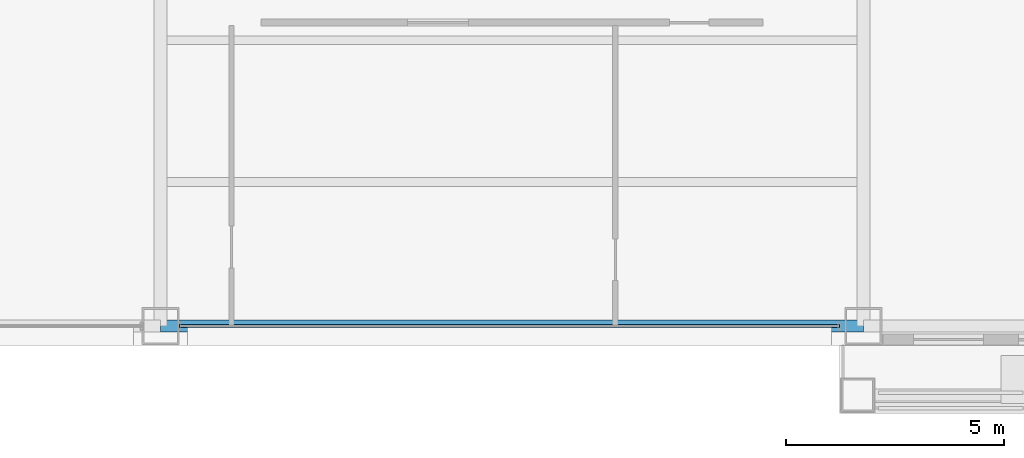
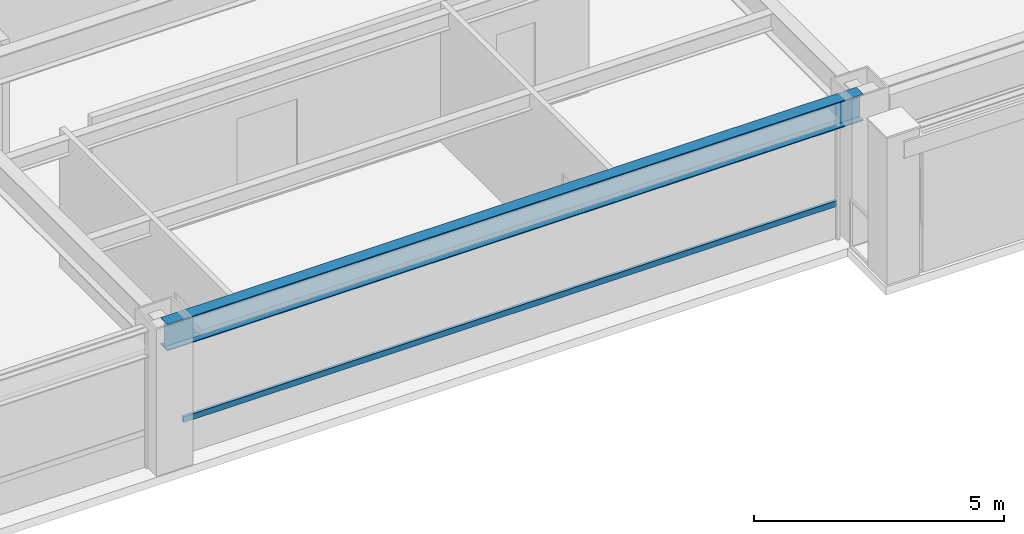
# One storey, part 6 of 31: 1 beam, 1 member, 1 element without a shape of its own.
"""IFC4 building model written with IfcOpenShell, lengths in metres."""

from ifc_helpers import new_model, si_unit, direction, frame, origin, origin_2d, place, context, subcontext, project, spatial, hollow_rectangle, i_section, extrude, material, layer, layer_set, material_profile, profile_set, type_object, element, aggregate, save


model = new_model("IFC4")

# Units and contexts
model_context = context("Model", 3, precision=1e-05, world=origin(), true_north=direction((0.0, 1.0)))
body_context = subcontext(model_context, "Body", "Model", "MODEL_VIEW")
ifc_project = project(units=[si_unit("LENGTHUNIT", "METRE"), si_unit("AREAUNIT", "SQUARE_METRE"), si_unit("VOLUMEUNIT", "CUBIC_METRE"), si_unit("PLANEANGLEUNIT", "RADIAN"), si_unit("MASSUNIT", "GRAM", prefix="KILO")], contexts=[model_context])

# Site, building, storey
site_placement = place(None, origin())
site = spatial("IfcSite", under=ifc_project, at=site_placement, CompositionType="ELEMENT")
building_placement = place(site_placement, origin())
building = spatial("IfcBuilding", under=site, at=building_placement, Name="Brelmoor Portico Tower", CompositionType="ELEMENT")
storey_placement = place(building_placement, frame((0.0, 0.0, 113.39990234375)))
storey = spatial("IfcBuildingStorey", under=building, at=storey_placement, Name="L29", CompositionType="ELEMENT", Elevation=113.39990234375)

# Beam
ifc_material_1 = material(Name="Steel Q355B", Category="steel")
ifc_material_profile_1 = material_profile(ifc_material_1, i_section(OverallWidth=0.280029296875, OverallDepth=0.64990234375, WebThickness=0.012939453125, FlangeThickness=0.02197265625, at=origin_2d()), Name="HN 650x280x13x22")
ifc_profile_set_1 = profile_set([ifc_material_profile_1], Name="Steel Q355B")
beam_type = type_object("IfcBeamType", Name="BM-SP-650", PredefinedType="SPANDREL", material=ifc_profile_set_1)
beam_placement = place(storey_placement, frame((-8.050048828125, -19.550048828125, 3.0751953125), z_axis=(1.0, 0.0, 0.0), x_axis=(0.0, 1.0, 0.0)))
element("IfcBeam", 1, at=beam_placement, inside=storey, type_object=beam_type, Name="L29 Perimeter Spandrel Beam SP-03", PredefinedType="SPANDREL", context=body_context, shape_type="SweptSolid", body=[
    extrude(i_section(OverallWidth=0.280029296875, OverallDepth=0.64990234375, WebThickness=0.012939453125, FlangeThickness=0.02197265625, at=origin_2d()), origin(), (0.0, 0.0, 1.0), 16.10009765625),
])

# Curtain wall, member
ifc_material_2 = material(Name="Anodised Aluminium Alloy 6063-T6", Category="aluminium")
ifc_layer = layer(ifc_material_2, 0.179931640625)
ifc_layer_set = layer_set([ifc_layer], Name="Anodised Aluminium Alloy 6063-T6")
curtain_wall_type = type_object("IfcCurtainWallType", Name="CW-TOWER-Z2", PredefinedType="NOTDEFINED", material=ifc_layer_set)
curtain_wall_placement = place(storey_placement, origin())
curtain_wall = element("IfcCurtainWall", 2, at=curtain_wall_placement, inside=storey, type_object=curtain_wall_type, Name="L29 Curtain Wall CW-L29-1L-3", PredefinedType="NOTDEFINED")
ifc_material_profile_2 = material_profile(ifc_material_2, hollow_rectangle(XDim=0.06494140625, YDim=0.139892578125, WallThickness=0.00390625, at=origin_2d()), Name="ALU TRANSOM 65x140")
ifc_profile_set_2 = profile_set([ifc_material_profile_2], Name="Anodised Aluminium Alloy 6063-T6")
member_type = type_object("IfcMemberType", Name="MB-CW-TRAN-140", PredefinedType="USERDEFINED", material=ifc_profile_set_2)
member_placement = place(storey_placement, frame((-7.614990234375, -19.550048828125, 0.85009765625), z_axis=(1.0, 0.0, 0.0), x_axis=(0.0, 1.0, 0.0)))
member = element("IfcMember", 3, at=member_placement, type_object=member_type, Name="CW-L29-1L-3 Transom 1-00", ObjectType="TRANSOM", PredefinedType="USERDEFINED", context=body_context, shape_type="SweptSolid", body=[
    extrude(hollow_rectangle(XDim=0.06494140625, YDim=0.139892578125, WallThickness=0.00390625, at=origin_2d()), origin(), (0.0, 0.0, 1.0), 15.114990234375),
])
aggregate(curtain_wall, [member])

save(model, "model.ifc")
